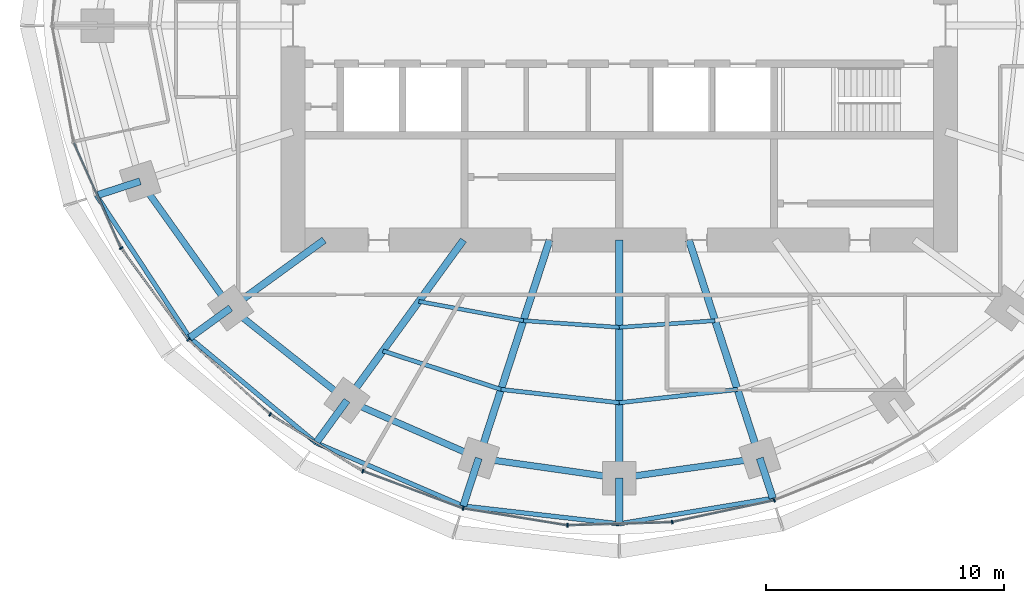
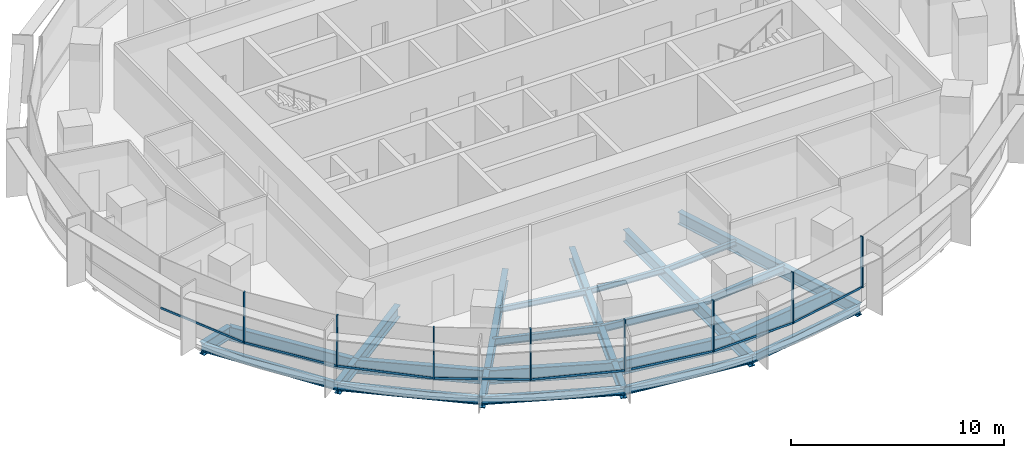
# One storey, part 2 of 14: 27 beams, 16 members, 2 elements without a shape of their own.
"""IFC4 building model written with IfcOpenShell, lengths in metres."""

from ifc_helpers import new_model, si_unit, direction, frame, origin, origin_2d, place, context, subcontext, project, spatial, rectangle, i_section, extrude, material, material_profile, profile_set, type_object, element, aggregate, save


model = new_model("IFC4")

# Units and contexts
model_context = context("Model", 3, precision=1e-05, world=origin(), true_north=direction((0.0, 1.0)))
body_context = subcontext(model_context, "Body", "Model", "MODEL_VIEW")
ifc_project = project(units=[si_unit("LENGTHUNIT", "METRE"), si_unit("AREAUNIT", "SQUARE_METRE"), si_unit("VOLUMEUNIT", "CUBIC_METRE"), si_unit("PLANEANGLEUNIT", "RADIAN"), si_unit("MASSUNIT", "GRAM", prefix="KILO")], contexts=[model_context])

# Site, building, storey
site_placement = place(None, origin())
site = spatial("IfcSite", under=ifc_project, at=site_placement, CompositionType="ELEMENT")
building_placement = place(site_placement, origin())
building = spatial("IfcBuilding", under=site, at=building_placement, Name="Marramba Exchange Tower", CompositionType="ELEMENT")
storey_placement = place(building_placement, frame((0.0, 0.0, 183.800048828125)))
storey = spatial("IfcBuildingStorey", under=building, at=storey_placement, Name="L44", CompositionType="ELEMENT", Elevation=183.800048828125)

# Beams
ifc_material_1 = material(Name="Steel AS/NZS 3679.2 grade 300", Category="steel")
ifc_material_profile_1 = material_profile(ifc_material_1, i_section(OverallWidth=0.300048828125, OverallDepth=0.699951171875, WebThickness=0.010009765625, FlangeThickness=0.031982421875, at=origin_2d()), Name="700WB173")
ifc_profile_set_1 = profile_set([ifc_material_profile_1], Name="Steel AS/NZS 3679.2 grade 300")
beam_type_1 = type_object("IfcBeamType", Name="Cantilever girder 700WB173", PredefinedType="BEAM", material=ifc_profile_set_1)
beam_1_placement = place(storey_placement, frame((-20.109375, -6.533935546875, -0.510009765625), z_axis=(-0.951071238541, -0.308971680287, 0.0), x_axis=(0.308971680287, -0.951071238541, 0.0)))
element("IfcBeam", 1, at=beam_1_placement, inside=storey, type_object=beam_type_1, Name="Cantilever girder L44 TC12", PredefinedType="BEAM", context=body_context, shape_type="SweptSolid", body=[
    extrude(i_section(OverallWidth=0.300048828125, OverallDepth=0.699951171875, WebThickness=0.010009765625, FlangeThickness=0.031982421875, at=origin_2d()), origin(), (0.0, 0.0, 1.0), 1.930419921875),
])
beam_2_placement = place(storey_placement, frame((-16.3154296875, -11.853759765625, -0.510009765625), z_axis=(-0.808969966943, -0.587849974555, 0.0), x_axis=(0.587849974555, -0.808969966943, 0.0)))
element("IfcBeam", 2, at=beam_2_placement, inside=storey, type_object=beam_type_1, Name="Cantilever girder L44 TC13", PredefinedType="BEAM", context=body_context, shape_type="SweptSolid", body=[
    extrude(i_section(OverallWidth=0.300048828125, OverallDepth=0.699951171875, WebThickness=0.010009765625, FlangeThickness=0.031982421875, at=origin_2d()), origin(), (0.0, 0.0, 1.0), 2.12109375),
])
beam_3_placement = place(storey_placement, frame((-11.430419921875, -15.732666015625, -0.510009765625), z_axis=(-0.587789596657, -0.809013837992, 0.0), x_axis=(0.809013837992, -0.587789596657, 0.0)))
element("IfcBeam", 3, at=beam_3_placement, inside=storey, type_object=beam_type_1, Name="Cantilever girder L44 TC14", PredefinedType="BEAM", context=body_context, shape_type="SweptSolid", body=[
    extrude(i_section(OverallWidth=0.300048828125, OverallDepth=0.699951171875, WebThickness=0.010009765625, FlangeThickness=0.031982421875, at=origin_2d()), origin(), (0.0, 0.0, 1.0), 2.203857421875),
])
beam_4_placement = place(storey_placement, frame((-5.899658203125, -18.156982421875, -0.510009765625), z_axis=(-0.308971068529, -0.951071437281, 0.0), x_axis=(0.951071437281, -0.308971068529, 0.0)))
element("IfcBeam", 4, at=beam_4_placement, inside=storey, type_object=beam_type_1, Name="Cantilever girder L44 TC15", PredefinedType="BEAM", context=body_context, shape_type="SweptSolid", body=[
    extrude(i_section(OverallWidth=0.300048828125, OverallDepth=0.699951171875, WebThickness=0.010009765625, FlangeThickness=0.031982421875, at=origin_2d()), origin(), (0.0, 0.0, 1.0), 2.112060546875),
])
beam_5_placement = place(storey_placement, frame((0.0, -18.99609375, -0.510009765625), z_axis=(0.0, -1.0, 0.0), x_axis=(1.0, 0.0, 0.0)))
element("IfcBeam", 5, at=beam_5_placement, inside=storey, type_object=beam_type_1, Name="Cantilever girder L44 TC16", PredefinedType="BEAM", context=body_context, shape_type="SweptSolid", body=[
    extrude(i_section(OverallWidth=0.300048828125, OverallDepth=0.699951171875, WebThickness=0.010009765625, FlangeThickness=0.031982421875, at=origin_2d()), origin(), (0.0, 0.0, 1.0), 1.917724609375),
])
beam_6_placement = place(storey_placement, frame((5.899658203125, -18.156982421875, -0.510009765625), z_axis=(0.308926813415, -0.951085813138, 0.0), x_axis=(0.951085813138, 0.308926813415, 0.0)))
element("IfcBeam", 6, at=beam_6_placement, inside=storey, type_object=beam_type_1, Name="Cantilever girder L44 TC17", PredefinedType="BEAM", context=body_context, shape_type="SweptSolid", body=[
    extrude(i_section(OverallWidth=0.300048828125, OverallDepth=0.699951171875, WebThickness=0.010009765625, FlangeThickness=0.031982421875, at=origin_2d()), origin(), (0.0, 0.0, 1.0), 1.767822265625),
])
ifc_material_2 = material(Name="Steel AS/NZS 3679.1 grade 300", Category="steel")
ifc_material_profile_2 = material_profile(ifc_material_2, i_section(OverallWidth=0.166015625, OverallDepth=0.306884765625, WebThickness=0.006591796875, FlangeThickness=0.01171875, FilletRadius=0.011474609375, at=origin_2d()), Name="310UB46.2")
ifc_profile_set_2 = profile_set([ifc_material_profile_2], Name="Steel AS/NZS 3679.1 grade 300")
beam_type_2 = type_object("IfcBeamType", Name="Floor joist 310UB46.2", PredefinedType="JOIST", material=ifc_profile_set_2)
beam_7_placement = place(storey_placement, frame((-8.41162109375, -11.57763671875, -0.3134765625), z_axis=(0.983455754421, -0.181148500119, 0.0), x_axis=(0.181148500119, 0.983455754421, 0.0)))
element("IfcBeam", 7, at=beam_7_placement, inside=storey, type_object=beam_type_2, Name="Joist L44 bay 14 row 1", PredefinedType="JOIST", context=body_context, shape_type="SweptSolid", body=[
    extrude(i_section(OverallWidth=0.166015625, OverallDepth=0.306884765625, WebThickness=0.006591796875, FlangeThickness=0.01171875, FilletRadius=0.011474609375, at=origin_2d()), origin(), (0.0, 0.0, 1.0), 4.4609375),
])
for number, where, z_axis, x_axis, name in (
    (8, (-4.0244140625, -12.3857421875, -0.3134765625), (0.99759625901, -0.069294328838, 0.0), (0.069294328838, 0.99759625901, 0.0), "Joist L44 bay 15 row 1"),
    (9, (0.0, -12.665283203125, -0.3134765625), (0.99759625901, 0.069294328838, 0.0), (-0.069294328838, 0.99759625901, 0.0), "Joist L44 bay 16 row 1"),
):
    element("IfcBeam", number, at=place(storey_placement, frame(where, z_axis=z_axis, x_axis=x_axis)), inside=storey, type_object=beam_type_2, Name=name, PredefinedType="JOIST", context=body_context, shape_type="SweptSolid", body=[
        extrude(i_section(OverallWidth=0.166015625, OverallDepth=0.306884765625, WebThickness=0.006591796875, FlangeThickness=0.01171875, FilletRadius=0.011474609375, at=origin_2d()), origin(), (0.0, 0.0, 1.0), 4.0341796875),
    ])
ifc_material_profile_3 = material_profile(ifc_material_2, i_section(OverallWidth=0.177978515625, OverallDepth=0.406005859375, WebThickness=0.0078125, FlangeThickness=0.0126953125, FilletRadius=0.011474609375, at=origin_2d()), Name="410UB59.7")
ifc_profile_set_3 = profile_set([ifc_material_profile_3], Name="Steel AS/NZS 3679.1 grade 300")
beam_type_3 = type_object("IfcBeamType", Name="Floor joist 410UB59.7", PredefinedType="JOIST", material=ifc_profile_set_3)
beam_8_placement = place(storey_placement, frame((-9.9208984375, -13.655029296875, -0.363037109375), z_axis=(0.950764024931, -0.309915744834, 0.0), x_axis=(0.309915744834, 0.950764024931, 0.0)))
element("IfcBeam", 10, at=beam_8_placement, inside=storey, type_object=beam_type_3, Name="Joist L44 bay 14 row 2", PredefinedType="JOIST", context=body_context, shape_type="SweptSolid", body=[
    extrude(i_section(OverallWidth=0.177978515625, OverallDepth=0.406005859375, WebThickness=0.0078125, FlangeThickness=0.0126953125, FilletRadius=0.011474609375, at=origin_2d()), origin(), (0.0, 0.0, 1.0), 5.2158203125),
])
for number, where, z_axis, x_axis, name in (
    (11, (-4.9619140625, -15.271484375, -0.363037109375), (0.993712018573, -0.111966174106, 0.0), (0.111966174106, 0.993712018573, 0.0), "Joist L44 bay 15 row 2"),
    (12, (0.0, -15.83056640625, -0.363037109375), (0.993712018573, 0.111966174106, 0.0), (-0.111966174106, 0.993712018573, 0.0), "Joist L44 bay 16 row 2"),
):
    element("IfcBeam", number, at=place(storey_placement, frame(where, z_axis=z_axis, x_axis=x_axis)), inside=storey, type_object=beam_type_3, Name=name, PredefinedType="JOIST", context=body_context, shape_type="SweptSolid", body=[
        extrude(i_section(OverallWidth=0.177978515625, OverallDepth=0.406005859375, WebThickness=0.0078125, FlangeThickness=0.0126953125, FilletRadius=0.011474609375, at=origin_2d()), origin(), (0.0, 0.0, 1.0), 4.993408203125),
    ])

# Curtain wall, members
ifc_material_3 = material(Name="Aluminium framing, bronze anodised", Category="aluminium")
curtain_wall_type = type_object("IfcCurtainWallType", Name="Office ribbon curtain wall", PredefinedType="USERDEFINED", material=ifc_material_3)
curtain_wall_1_placement = place(storey_placement, origin())
curtain_wall_1 = element("IfcCurtainWall", 13, at=curtain_wall_1_placement, inside=storey, type_object=curtain_wall_type, Name="Curtain wall CW4 L44 F16-F20", ObjectType="RIBBON CURTAIN WALL", PredefinedType="USERDEFINED")
ifc_material_4 = material(Name="Aluminium mullion, bronze anodised", Category="aluminium")
ifc_material_profile_4 = material_profile(ifc_material_4, rectangle(XDim=0.159912109375, YDim=0.06005859375, at=origin_2d()), Name="CW4 mullion 60x160")
ifc_profile_set_4 = profile_set([ifc_material_profile_4], Name="Aluminium mullion, bronze anodised")
member_type_1 = type_object("IfcMemberType", Name="Office ribbon curtain wall mullion", PredefinedType="MULLION", material=ifc_profile_set_4)
member_1_placement = place(storey_placement, frame((-20.910400390625, -9.342041015625, 0.800048828125), z_axis=(0.0, 0.0, 1.0), x_axis=(0.806508054547, 0.591223103363, 0.0)))
member_1 = element("IfcMember", 14, at=member_1_placement, type_object=member_type_1, Name="CW4 mullion 1", PredefinedType="MULLION", context=body_context, shape_type="SweptSolid", body=[
    extrude(rectangle(XDim=0.159912109375, YDim=0.06005859375, at=origin_2d()), origin(), (0.0, 0.0, 1.0), 2.93994140625),
])
member_2_placement = place(storey_placement, frame((-18.090087890625, -13.179443359375, 0.800048828125), z_axis=(0.0, 0.0, 1.0), x_axis=(0.67567103474, 0.737203264245, 0.0)))
member_2 = element("IfcMember", 15, at=member_2_placement, type_object=member_type_1, Name="CW4 mullion 1", PredefinedType="MULLION", context=body_context, shape_type="SweptSolid", body=[
    extrude(rectangle(XDim=0.159912109375, YDim=0.06005859375, at=origin_2d()), origin(), (0.0, 0.0, 1.0), 2.93994140625),
])
member_3_placement = place(storey_placement, frame((-14.655029296875, -16.320068359375, 0.800048828125), z_axis=(0.0, 0.0, 1.0), x_axis=(0.52305160869, 0.85230101176, 0.0)))
member_3 = element("IfcMember", 16, at=member_3_placement, type_object=member_type_1, Name="CW4 mullion 1", PredefinedType="MULLION", context=body_context, shape_type="SweptSolid", body=[
    extrude(rectangle(XDim=0.159912109375, YDim=0.06005859375, at=origin_2d()), origin(), (0.0, 0.0, 1.0), 2.93994140625),
])

curtain_wall_2_placement = place(storey_placement, origin())
curtain_wall_2 = element("IfcCurtainWall", 17, at=curtain_wall_2_placement, inside=storey, type_object=curtain_wall_type, Name="Curtain wall CW4 L44 F21-F25", ObjectType="RIBBON CURTAIN WALL", PredefinedType="USERDEFINED")
member_4_placement = place(storey_placement, frame((-10.76318359375, -18.70166015625, 0.800048828125), z_axis=(0.0, 0.0, 1.0), x_axis=(0.349459197687, 0.936951583142, 0.0)))
member_4 = element("IfcMember", 18, at=member_4_placement, type_object=member_type_1, Name="CW4 mullion 1", PredefinedType="MULLION", context=body_context, shape_type="SweptSolid", body=[
    extrude(rectangle(XDim=0.159912109375, YDim=0.06005859375, at=origin_2d()), origin(), (0.0, 0.0, 1.0), 2.93994140625),
])
member_5_placement = place(storey_placement, frame((-6.553466796875, -20.265625, 0.800048828125), z_axis=(0.0, 0.0, 1.0), x_axis=(0.161145726194, 0.986930623159, 0.0)))
member_5 = element("IfcMember", 19, at=member_5_placement, type_object=member_type_1, Name="CW4 mullion 1", PredefinedType="MULLION", context=body_context, shape_type="SweptSolid", body=[
    extrude(rectangle(XDim=0.159912109375, YDim=0.06005859375, at=origin_2d()), origin(), (0.0, 0.0, 1.0), 2.93994140625),
])
member_6_placement = place(storey_placement, frame((-2.174560546875, -20.974853515625, 0.800048828125), z_axis=(0.0, 0.0, 1.0), x_axis=(-0.029393451762, 0.99956791915, 0.0)))
member_6 = element("IfcMember", 20, at=member_6_placement, type_object=member_type_1, Name="CW4 mullion 1", PredefinedType="MULLION", context=body_context, shape_type="SweptSolid", body=[
    extrude(rectangle(XDim=0.159912109375, YDim=0.06005859375, at=origin_2d()), origin(), (0.0, 0.0, 1.0), 2.93994140625),
])
member_7_placement = place(storey_placement, frame((2.220458984375, -20.840087890625, 0.800048828125), z_axis=(0.0, 0.0, 1.0), x_axis=(-0.208332456608, 0.978058069607, 0.0)))
member_7 = element("IfcMember", 21, at=member_7_placement, type_object=member_type_1, Name="CW4 mullion 1", PredefinedType="MULLION", context=body_context, shape_type="SweptSolid", body=[
    extrude(rectangle(XDim=0.159912109375, YDim=0.06005859375, at=origin_2d()), origin(), (0.0, 0.0, 1.0), 2.93994140625),
])
member_8_placement = place(storey_placement, frame((6.504638671875, -19.922607421875, 0.800048828125), z_axis=(0.0, 0.0, 1.0), x_axis=(-0.367374724195, 0.93007301435, 0.0)))
member_8 = element("IfcMember", 22, at=member_8_placement, type_object=member_type_1, Name="CW4 mullion 1", PredefinedType="MULLION", context=body_context, shape_type="SweptSolid", body=[
    extrude(rectangle(XDim=0.159912109375, YDim=0.06005859375, at=origin_2d()), origin(), (0.0, 0.0, 1.0), 2.93994140625),
])

# Member
ifc_material_5 = material(Name="Aluminium transom, bronze anodised", Category="aluminium")
ifc_material_profile_5 = material_profile(ifc_material_5, rectangle(XDim=0.06005859375, YDim=0.1201171875, at=origin_2d()), Name="CW4 transom 60x120")
ifc_profile_set_5 = profile_set([ifc_material_profile_5], Name="Aluminium transom, bronze anodised")
member_type_2 = type_object("IfcMemberType", Name="Office ribbon curtain wall transom", PredefinedType="USERDEFINED", material=ifc_profile_set_5)
member_9_placement = place(storey_placement, frame((-22.888671875, -4.925048828125, 0.829833984375), z_axis=(0.407541263131, -0.913186792965, 0.0), x_axis=(0.913186792965, 0.407541263131, 0.0)))
member_9 = element("IfcMember", 23, at=member_9_placement, type_object=member_type_2, Name="CW4 sill transom", ObjectType="TRANSOM", PredefinedType="USERDEFINED", context=body_context, shape_type="SweptSolid", body=[
    extrude(rectangle(XDim=0.06005859375, YDim=0.1201171875, at=origin_2d()), origin(), (0.0, 0.0, 1.0), 4.810546875),
])

member_10_placement = place(storey_placement, frame((-20.892578125, -9.3662109375, 0.829833984375), z_axis=(0.591226373184, -0.806505657545, 0.0), x_axis=(0.806505657545, 0.591226373184, 0.0)))
member_10 = element("IfcMember", 24, at=member_10_placement, type_object=member_type_2, Name="CW4 sill transom", ObjectType="TRANSOM", PredefinedType="USERDEFINED", context=body_context, shape_type="SweptSolid", body=[
    extrude(rectangle(XDim=0.06005859375, YDim=0.1201171875, at=origin_2d()), origin(), (0.0, 0.0, 1.0), 4.702880859375),
])

member_11_placement = place(storey_placement, frame((-18.06787109375, -13.19970703125, 0.829833984375), z_axis=(0.737176195283, -0.675700567639, 0.0), x_axis=(0.675700567639, 0.737176195283, 0.0)))
member_11 = element("IfcMember", 25, at=member_11_placement, type_object=member_type_2, Name="CW4 sill transom", ObjectType="TRANSOM", PredefinedType="USERDEFINED", context=body_context, shape_type="SweptSolid", body=[
    extrude(rectangle(XDim=0.06005859375, YDim=0.1201171875, at=origin_2d()), origin(), (0.0, 0.0, 1.0), 4.5947265625),
])

member_12_placement = place(storey_placement, frame((-14.62939453125, -16.335693359375, 0.829833984375), z_axis=(0.852298011003, -0.523056498325, 0.0), x_axis=(0.523056498325, 0.852298011003, 0.0)))
member_12 = element("IfcMember", 26, at=member_12_placement, type_object=member_type_2, Name="CW4 sill transom", ObjectType="TRANSOM", PredefinedType="USERDEFINED", context=body_context, shape_type="SweptSolid", body=[
    extrude(rectangle(XDim=0.06005859375, YDim=0.1201171875, at=origin_2d()), origin(), (0.0, 0.0, 1.0), 4.503173828125),
])

aggregate(curtain_wall_1, [member_9, member_1, member_10, member_2, member_11, member_3, member_12])

member_13_placement = place(storey_placement, frame((-10.735107421875, -18.712158203125, 0.829833984375), z_axis=(0.936954830677, -0.349450490444, 0.0), x_axis=(0.349450490444, 0.936954830677, 0.0)))
member_13 = element("IfcMember", 27, at=member_13_placement, type_object=member_type_2, Name="CW4 sill transom", ObjectType="TRANSOM", PredefinedType="USERDEFINED", context=body_context, shape_type="SweptSolid", body=[
    extrude(rectangle(XDim=0.06005859375, YDim=0.1201171875, at=origin_2d()), origin(), (0.0, 0.0, 1.0), 4.431396484375),
])

member_14_placement = place(storey_placement, frame((-6.52392578125, -20.2705078125, 0.829833984375), z_axis=(0.986937225488, -0.161105285282, 0.0), x_axis=(0.161105285282, 0.986937225488, 0.0)))
member_14 = element("IfcMember", 28, at=member_14_placement, type_object=member_type_2, Name="CW4 sill transom", ObjectType="TRANSOM", PredefinedType="USERDEFINED", context=body_context, shape_type="SweptSolid", body=[
    extrude(rectangle(XDim=0.06005859375, YDim=0.1201171875, at=origin_2d()), origin(), (0.0, 0.0, 1.0), 4.37646484375),
])

member_15_placement = place(storey_placement, frame((-2.144775390625, -20.973876953125, 0.829833984375), z_axis=(0.999568338005, 0.029379204529, 0.0), x_axis=(-0.029379204529, 0.999568338005, 0.0)))
member_15 = element("IfcMember", 29, at=member_15_placement, type_object=member_type_2, Name="CW4 sill transom", ObjectType="TRANSOM", PredefinedType="USERDEFINED", context=body_context, shape_type="SweptSolid", body=[
    extrude(rectangle(XDim=0.06005859375, YDim=0.1201171875, at=origin_2d()), origin(), (0.0, 0.0, 1.0), 4.337890625),
])

member_16_placement = place(storey_placement, frame((2.249755859375, -20.833984375, 0.829833984375), z_axis=(0.978057951839, 0.208333009494, 0.0), x_axis=(-0.208333009494, 0.978057951839, 0.0)))
member_16 = element("IfcMember", 30, at=member_16_placement, type_object=member_type_2, Name="CW4 sill transom", ObjectType="TRANSOM", PredefinedType="USERDEFINED", context=body_context, shape_type="SweptSolid", body=[
    extrude(rectangle(XDim=0.06005859375, YDim=0.1201171875, at=origin_2d()), origin(), (0.0, 0.0, 1.0), 4.32177734375),
])

aggregate(curtain_wall_2, [member_4, member_13, member_5, member_14, member_6, member_15, member_7, member_16, member_8])

# Beams
ifc_material_profile_6 = material_profile(ifc_material_1, i_section(OverallWidth=0.300048828125, OverallDepth=0.699951171875, WebThickness=0.010009765625, FlangeThickness=0.031982421875, at=origin_2d()), Name="700WB173")
ifc_profile_set_6 = profile_set([ifc_material_profile_6], Name="Steel AS/NZS 3679.2 grade 300")
beam_type_4 = type_object("IfcBeamType", Name="Radial girder 700WB173", PredefinedType="BEAM", material=ifc_profile_set_6)
beam_9_placement = place(storey_placement, frame((-12.387451171875, -9.0, -0.510009765625), z_axis=(-0.809025189606, -0.58777397236, 0.0), x_axis=(0.58777397236, -0.809025189606, 0.0)))
element("IfcBeam", 31, at=beam_9_placement, inside=storey, type_object=beam_type_4, Name="Radial girder L44 TC13", PredefinedType="BEAM", context=body_context, shape_type="SweptSolid", body=[
    extrude(i_section(OverallWidth=0.300048828125, OverallDepth=0.699951171875, WebThickness=0.010009765625, FlangeThickness=0.031982421875, at=origin_2d()), origin(), (0.0, 0.0, 1.0), 4.855224609375),
])
beam_10_placement = place(storey_placement, frame((-6.538818359375, -9.0, -0.510009765625), z_axis=(-0.587787877172, -0.809015087282, 0.0), x_axis=(0.809015087282, -0.587787877172, 0.0)))
element("IfcBeam", 32, at=beam_10_placement, inside=storey, type_object=beam_type_4, Name="Radial girder L44 TC14", PredefinedType="BEAM", context=body_context, shape_type="SweptSolid", body=[
    extrude(i_section(OverallWidth=0.300048828125, OverallDepth=0.699951171875, WebThickness=0.010009765625, FlangeThickness=0.031982421875, at=origin_2d()), origin(), (0.0, 0.0, 1.0), 8.322021484375),
])
beam_11_placement = place(storey_placement, frame((-2.92431640625, -9.0, -0.510009765625), z_axis=(-0.309022428985, -0.951054750466, 0.0), x_axis=(0.951054750466, -0.309022428985, 0.0)))
element("IfcBeam", 33, at=beam_11_placement, inside=storey, type_object=beam_type_4, Name="Radial girder L44 TC15", PredefinedType="BEAM", context=body_context, shape_type="SweptSolid", body=[
    extrude(i_section(OverallWidth=0.300048828125, OverallDepth=0.699951171875, WebThickness=0.010009765625, FlangeThickness=0.031982421875, at=origin_2d()), origin(), (0.0, 0.0, 1.0), 9.628173828125),
])
beam_12_placement = place(storey_placement, frame((0.0, -9.0, -0.510009765625), z_axis=(0.0, -1.0, 0.0), x_axis=(1.0, 0.0, 0.0)))
element("IfcBeam", 34, at=beam_12_placement, inside=storey, type_object=beam_type_4, Name="Radial girder L44 TC16", PredefinedType="BEAM", context=body_context, shape_type="SweptSolid", body=[
    extrude(i_section(OverallWidth=0.300048828125, OverallDepth=0.699951171875, WebThickness=0.010009765625, FlangeThickness=0.031982421875, at=origin_2d()), origin(), (0.0, 0.0, 1.0), 9.99609375),
])
beam_13_placement = place(storey_placement, frame((2.92431640625, -9.0, -0.510009765625), z_axis=(0.309022428985, -0.951054750466, 0.0), x_axis=(0.951054750466, 0.309022428985, 0.0)))
element("IfcBeam", 35, at=beam_13_placement, inside=storey, type_object=beam_type_4, Name="Radial girder L44 TC17", PredefinedType="BEAM", context=body_context, shape_type="SweptSolid", body=[
    extrude(i_section(OverallWidth=0.300048828125, OverallDepth=0.699951171875, WebThickness=0.010009765625, FlangeThickness=0.031982421875, at=origin_2d()), origin(), (0.0, 0.0, 1.0), 9.628173828125),
])
ifc_material_profile_7 = material_profile(ifc_material_1, i_section(OverallWidth=0.27490234375, OverallDepth=0.800048828125, WebThickness=0.010009765625, FlangeThickness=0.02490234375, at=origin_2d()), Name="800WB168")
ifc_profile_set_7 = profile_set([ifc_material_profile_7], Name="Steel AS/NZS 3679.2 grade 300")
beam_type_5 = type_object("IfcBeamType", Name="Ring beam 800WB168", PredefinedType="SPANDREL", material=ifc_profile_set_7)
beam_14_placement = place(storey_placement, frame((-20.109375, -6.533935546875, -0.56005859375), z_axis=(0.580637181111, -0.814162430914, 0.0), x_axis=(0.814162430914, 0.580637181111, 0.0)))
element("IfcBeam", 36, at=beam_14_placement, inside=storey, type_object=beam_type_5, Name="Ring beam L44 TC12-TC13", PredefinedType="SPANDREL", context=body_context, shape_type="SweptSolid", body=[
    extrude(i_section(OverallWidth=0.27490234375, OverallDepth=0.800048828125, WebThickness=0.010009765625, FlangeThickness=0.02490234375, at=origin_2d()), origin(), (0.0, 0.0, 1.0), 6.5341796875),
])
beam_15_placement = place(storey_placement, frame((-16.3154296875, -11.853759765625, -0.56005859375), z_axis=(0.783139438128, -0.621846138887, 0.0), x_axis=(0.621846138887, 0.783139438128, 0.0)))
element("IfcBeam", 37, at=beam_15_placement, inside=storey, type_object=beam_type_5, Name="Ring beam L44 TC13-TC14", PredefinedType="SPANDREL", context=body_context, shape_type="SweptSolid", body=[
    extrude(i_section(OverallWidth=0.27490234375, OverallDepth=0.800048828125, WebThickness=0.010009765625, FlangeThickness=0.02490234375, at=origin_2d()), origin(), (0.0, 0.0, 1.0), 6.23779296875),
])
beam_16_placement = place(storey_placement, frame((-11.430419921875, -15.732666015625, -0.56005859375), z_axis=(0.915876892158, -0.4014592363, 0.0), x_axis=(0.4014592363, 0.915876892158, 0.0)))
element("IfcBeam", 38, at=beam_16_placement, inside=storey, type_object=beam_type_5, Name="Ring beam L44 TC14-TC15", PredefinedType="SPANDREL", context=body_context, shape_type="SweptSolid", body=[
    extrude(i_section(OverallWidth=0.27490234375, OverallDepth=0.800048828125, WebThickness=0.010009765625, FlangeThickness=0.02490234375, at=origin_2d()), origin(), (0.0, 0.0, 1.0), 6.038818359375),
])
for number, where, z_axis, x_axis, name in (
    (39, (-5.899658203125, -18.156982421875, -0.56005859375), (0.990036163016, -0.140813337152, 0.0), (0.140813337152, 0.990036163016, 0.0), "Ring beam L44 TC15-TC16"),
    (40, (0.0, -18.99609375, -0.56005859375), (0.990036163016, 0.140813337152, 0.0), (-0.140813337152, 0.990036163016, 0.0), "Ring beam L44 TC16-TC17"),
):
    element("IfcBeam", number, at=place(storey_placement, frame(where, z_axis=z_axis, x_axis=x_axis)), inside=storey, type_object=beam_type_5, Name=name, PredefinedType="SPANDREL", context=body_context, shape_type="SweptSolid", body=[
        extrude(i_section(OverallWidth=0.27490234375, OverallDepth=0.800048828125, WebThickness=0.010009765625, FlangeThickness=0.02490234375, at=origin_2d()), origin(), (0.0, 0.0, 1.0), 5.958984375),
    ])
ifc_material_profile_8 = material_profile(ifc_material_2, i_section(OverallWidth=0.19091796875, OverallDepth=0.4599609375, WebThickness=0.010009765625, FlangeThickness=0.01611328125, FilletRadius=0.011474609375, at=origin_2d()), Name="460UB82.1")
ifc_profile_set_8 = profile_set([ifc_material_profile_8], Name="Steel AS/NZS 3679.1 grade 300")
beam_type_6 = type_object("IfcBeamType", Name="Slab edge beam 460UB82.1", PredefinedType="SPANDREL", material=ifc_profile_set_8)
beam_17_placement = place(storey_placement, frame((-21.9453125, -7.13037109375, -0.39013671875), z_axis=(0.548275412052, -0.83629783722, 0.0), x_axis=(0.83629783722, 0.548275412052, 0.0)))
element("IfcBeam", 41, at=beam_17_placement, inside=storey, type_object=beam_type_6, Name="Slab edge beam L44 TC12-TC13", PredefinedType="SPANDREL", context=body_context, shape_type="SweptSolid", body=[
    extrude(i_section(OverallWidth=0.19091796875, OverallDepth=0.4599609375, WebThickness=0.010009765625, FlangeThickness=0.01611328125, FilletRadius=0.011474609375, at=origin_2d()), origin(), (0.0, 0.0, 1.0), 7.138916015625),
])
beam_18_placement = place(storey_placement, frame((-18.03125, -13.1005859375, -0.39013671875), z_axis=(0.768658895231, -0.639658895649, 0.0), x_axis=(0.639658895649, 0.768658895231, 0.0)))
element("IfcBeam", 42, at=beam_18_placement, inside=storey, type_object=beam_type_6, Name="Slab edge beam L44 TC13-TC14", PredefinedType="SPANDREL", context=body_context, shape_type="SweptSolid", body=[
    extrude(i_section(OverallWidth=0.19091796875, OverallDepth=0.4599609375, WebThickness=0.010009765625, FlangeThickness=0.01611328125, FilletRadius=0.011474609375, at=origin_2d()), origin(), (0.0, 0.0, 1.0), 6.902099609375),
])
beam_19_placement = place(storey_placement, frame((-12.725830078125, -17.515625, -0.39013671875), z_axis=(0.9189117964, -0.394463065999, 0.0), x_axis=(0.394463065999, 0.9189117964, 0.0)))
element("IfcBeam", 43, at=beam_19_placement, inside=storey, type_object=beam_type_6, Name="Slab edge beam L44 TC14-TC15", PredefinedType="SPANDREL", context=body_context, shape_type="SweptSolid", body=[
    extrude(i_section(OverallWidth=0.19091796875, OverallDepth=0.4599609375, WebThickness=0.010009765625, FlangeThickness=0.01611328125, FilletRadius=0.011474609375, at=origin_2d()), origin(), (0.0, 0.0, 1.0), 6.71826171875),
])
beam_20_placement = place(storey_placement, frame((-6.55224609375, -20.165771484375, -0.39013671875), z_axis=(0.993546030009, -0.113429653325, 0.0), x_axis=(0.113429653325, 0.993546030009, 0.0)))
element("IfcBeam", 44, at=beam_20_placement, inside=storey, type_object=beam_type_6, Name="Slab edge beam L44 TC15-TC16", PredefinedType="SPANDREL", context=body_context, shape_type="SweptSolid", body=[
    extrude(i_section(OverallWidth=0.19091796875, OverallDepth=0.4599609375, WebThickness=0.010009765625, FlangeThickness=0.01611328125, FilletRadius=0.011474609375, at=origin_2d()), origin(), (0.0, 0.0, 1.0), 6.5947265625),
])
beam_21_placement = place(storey_placement, frame((0.0, -20.913818359375, -0.39013671875), z_axis=(0.986365637189, 0.164568617219, 0.0), x_axis=(-0.164568617219, 0.986365637189, 0.0)))
element("IfcBeam", 45, at=beam_21_placement, inside=storey, type_object=beam_type_6, Name="Slab edge beam L44 TC16-TC17", PredefinedType="SPANDREL", context=body_context, shape_type="SweptSolid", body=[
    extrude(i_section(OverallWidth=0.19091796875, OverallDepth=0.4599609375, WebThickness=0.010009765625, FlangeThickness=0.01611328125, FilletRadius=0.011474609375, at=origin_2d()), origin(), (0.0, 0.0, 1.0), 6.534912109375),
])

save(model, "model.ifc")
